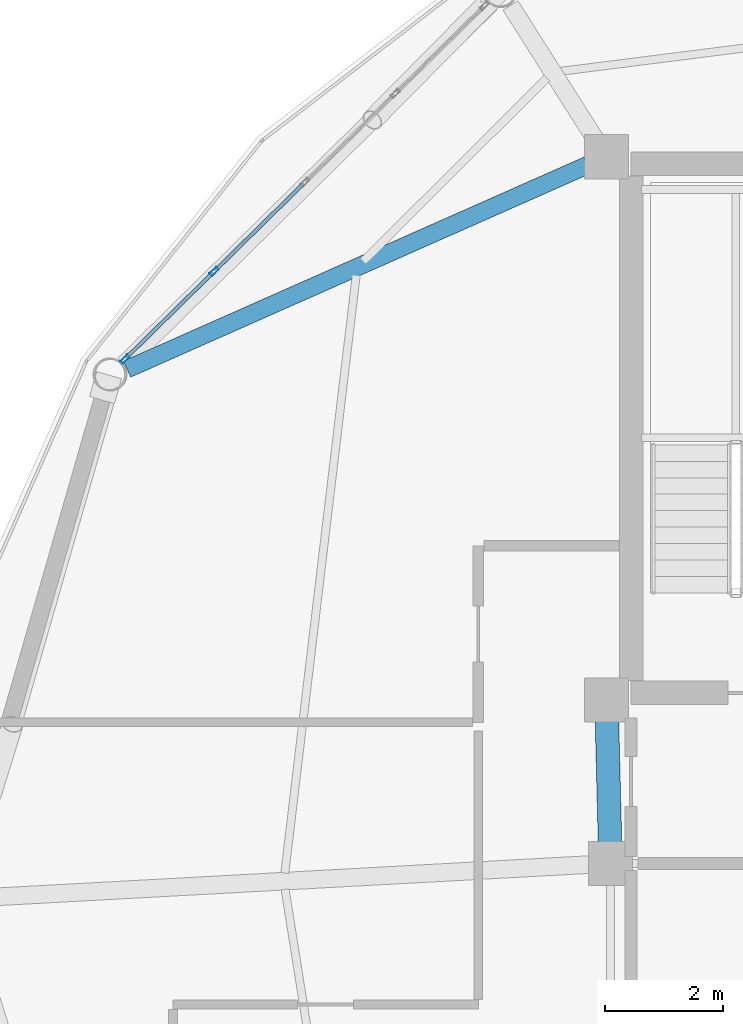
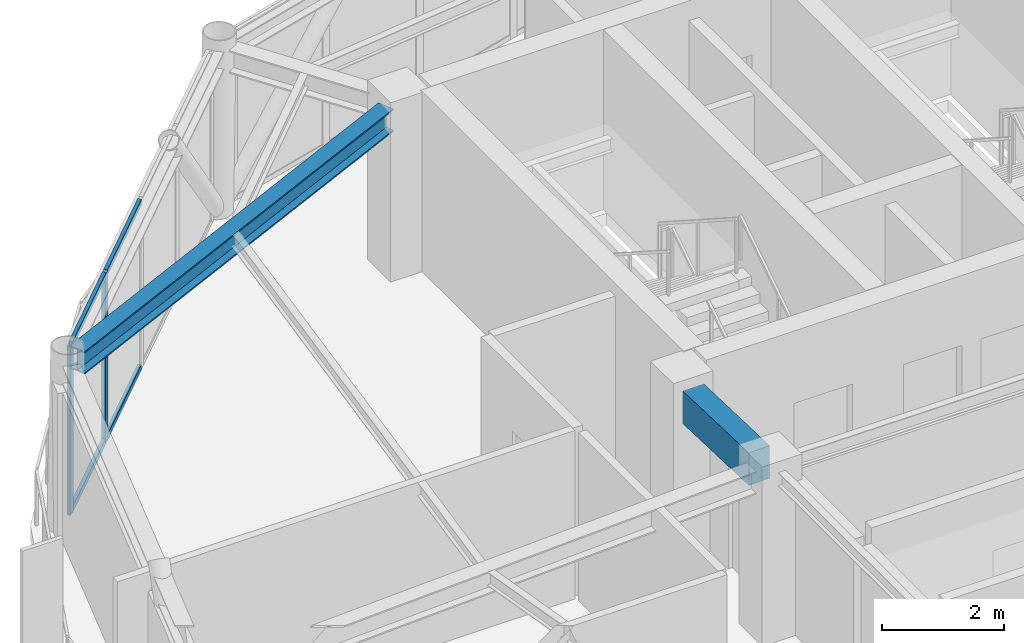
# One storey, part 11 of 25: 6 members, 2 beams, 1 element without a shape of its own.
"""IFC4 building model written with IfcOpenShell, lengths in metres."""

import ifcopenshell
import ifcopenshell.guid

model = None  # the IFC model being written
_history = None  # IfcOwnerHistory: only IFC2X3 demands one
_inside = {}  # id of a spatial element -> (the spatial element, [elements in it])
_under = {}  # id of a project, library or spatial element -> (it, [spatial elements below it])
_declared = {}  # id of a project -> (the project, [libraries it declares])
_typed = {}  # id of a type object -> (the type object, [elements of that type])
_made_of = {}  # id of a material, layer set ... -> (it, [elements and type objects made of it])


def new_model(schema):
    """Start an empty IFC model of exactly this schema.

    Asked for "IFC4X3", IfcOpenShell would pick the latest addendum, in which some entities
    have other attributes; the version numbers below select the first issue.
    IFC2X3 requires an IfcOwnerHistory on every rooted entity: one is made here for all.
    """
    global model, _history
    if schema == "IFC4X3":
        model = ifcopenshell.file(schema_version=(4, 3, 0, 0))
    else:
        model = ifcopenshell.file(schema=schema)
    _inside.clear()
    _under.clear()
    _declared.clear()
    _typed.clear()
    _made_of.clear()
    _history = None
    if model.schema == "IFC2X3":
        org = make("IfcOrganization", Name="unknown")
        user = make(
            "IfcPersonAndOrganization",
            ThePerson=make("IfcPerson", FamilyName="unknown"),
            TheOrganization=org,
        )
        app = make(
            "IfcApplication",
            ApplicationDeveloper=org,
            Version="unknown",
            ApplicationFullName="unknown",
            ApplicationIdentifier="unknown",
        )
        _history = make(
            "IfcOwnerHistory",
            OwningUser=user,
            OwningApplication=app,
            ChangeAction="ADDED",
            CreationDate=0,
        )
    return model


def make(cls, **values):
    """One entity of the class cls with the attributes given. An attribute that is None is left unset."""
    return model.create_entity(
        cls, **{name: value for name, value in values.items() if value is not None}
    )


def rooted(cls, **values):
    """An entity with a GlobalId (a new one), such as an element, a storey or a relation."""
    return make(cls, GlobalId=ifcopenshell.guid.new(), OwnerHistory=_history, **values)


def si_unit(unit_type, name, prefix=None):
    """IfcSIUnit, for example si_unit("LENGTHUNIT", "METRE", prefix="MILLI")."""
    return make("IfcSIUnit", UnitType=unit_type, Prefix=prefix, Name=name)


def assignment(units):
    """IfcUnitAssignment: the units of a project."""
    return None if units is None else make("IfcUnitAssignment", Units=units)


def point(xyz):
    """IfcCartesianPoint."""
    return None if xyz is None else make("IfcCartesianPoint", Coordinates=xyz)


def direction(xyz):
    """IfcDirection."""
    return None if xyz is None else make("IfcDirection", DirectionRatios=xyz)


def frame(location, z_axis=None, x_axis=None):
    """IfcAxis2Placement3D, a coordinate frame: its origin and axes. An axis left out is left unset."""
    return make(
        "IfcAxis2Placement3D",
        Location=point(location),
        Axis=direction(z_axis),
        RefDirection=direction(x_axis),
    )


def frame_2d(location, x_axis=None):
    """IfcAxis2Placement2D, a coordinate frame in the plane: its origin and x axis."""
    return make(
        "IfcAxis2Placement2D", Location=point(location), RefDirection=direction(x_axis)
    )


def origin():
    """The frame at (0, 0, 0) with its axes left unset."""
    return frame((0.0, 0.0, 0.0))


def origin_2d():
    """The frame at (0, 0) in the plane with its x axis left unset."""
    return frame_2d((0.0, 0.0))


def place(relative_to, where):
    """IfcLocalPlacement: puts the frame where relative to a parent placement (None: the world)."""
    return make(
        "IfcLocalPlacement", PlacementRelTo=relative_to, RelativePlacement=where
    )


def context(
    kind, dimensions, precision=None, world=None, true_north=None, identifier=None
):
    """IfcGeometricRepresentationContext, for example the 3D "Model" context."""
    return make(
        "IfcGeometricRepresentationContext",
        ContextIdentifier=identifier,
        ContextType=kind,
        CoordinateSpaceDimension=dimensions,
        Precision=precision,
        WorldCoordinateSystem=world,
        TrueNorth=true_north,
    )


def subcontext(parent, identifier, kind, view, scale=None):
    """IfcGeometricRepresentationSubContext, for example "Body" below "Model"."""
    return make(
        "IfcGeometricRepresentationSubContext",
        ContextIdentifier=identifier,
        ContextType=kind,
        ParentContext=parent,
        TargetScale=scale,
        TargetView=view,
    )


def project(units=None, contexts=None):
    """IfcProject with its units and contexts."""
    return rooted(
        "IfcProject",
        Name="project",
        RepresentationContexts=contexts,
        UnitsInContext=assignment(units),
    )


def spatial(cls, under=None, at=None, **own):
    """A site, building, storey or space (cls), placed at a placement, below another one or the project."""
    s = rooted(cls, ObjectPlacement=at, **own)
    if under is not None:
        _under.setdefault(under.id(), (under, []))[1].append(s)
    return s


def profile(cls, at=None, kind="AREA", **sizes):
    """A parametric profile (cls). Its sizes go by their IFC names, for example OverallWidth=200.0."""
    return make(cls, ProfileType=kind, Position=at, **sizes)


def rectangle(**sizes):
    """IfcRectangleProfileDef."""
    return profile("IfcRectangleProfileDef", **sizes)


def hollow_rectangle(**sizes):
    """IfcRectangleHollowProfileDef."""
    return profile("IfcRectangleHollowProfileDef", **sizes)


def i_section(**sizes):
    """IfcIShapeProfileDef."""
    return profile("IfcIShapeProfileDef", **sizes)


def extrude(swept, where, along, depth):
    """IfcExtrudedAreaSolid: the profile swept, set in the frame where, extruded along a direction by depth."""
    return make(
        "IfcExtrudedAreaSolid",
        SweptArea=swept,
        Position=where,
        ExtrudedDirection=direction(along),
        Depth=depth,
    )


def shape(context_of_items, identifier, shape_type, items):
    """IfcShapeRepresentation: the items that make up one representation, for example the "Body"."""
    return make(
        "IfcShapeRepresentation",
        ContextOfItems=context_of_items,
        RepresentationIdentifier=identifier,
        RepresentationType=shape_type,
        Items=items,
    )


def material(Name=None, Category=None):
    """IfcMaterial."""
    return make("IfcMaterial", Name=Name, Category=Category)


def layer(
    of_material, thickness, ventilated=None, Name=None, Category=None, Priority=None
):
    """IfcMaterialLayer: one layer of a wall or slab, of a material (None: an air gap)."""
    return make(
        "IfcMaterialLayer",
        Material=of_material,
        LayerThickness=thickness,
        IsVentilated=ventilated,
        Name=Name,
        Category=Category,
        Priority=Priority,
    )


def layer_set(layers, Name=None):
    """IfcMaterialLayerSet."""
    return make("IfcMaterialLayerSet", MaterialLayers=layers, LayerSetName=Name)


def material_profile(
    of_material, cross_section, Name=None, Category=None, Priority=None
):
    """IfcMaterialProfile: a cross section and its material."""
    return make(
        "IfcMaterialProfile",
        Name=Name,
        Material=of_material,
        Profile=cross_section,
        Priority=Priority,
        Category=Category,
    )


def profile_set(profiles, Name=None, composite=None):
    """IfcMaterialProfileSet."""
    return make(
        "IfcMaterialProfileSet",
        Name=Name,
        MaterialProfiles=profiles,
        CompositeProfile=composite,
    )


def made_of(thing, what):
    """Note that an element or type object is made of a material, layer set ...; save() writes the relation."""
    if what is not None:
        _made_of.setdefault(what.id(), (what, []))[1].append(thing)
    return thing


def type_object(cls, material=None, **own):
    """A type object (cls), such as IfcWallType, which elements share."""
    return made_of(rooted(cls, **own), material)


def element(
    cls,
    number,
    at=None,
    inside=None,
    cuts=None,
    type_object=None,
    material=None,
    context=None,
    identifier="Body",
    shape_type=None,
    held_by="IfcProductDefinitionShape",
    body=None,
    shapes=None,
    **own,
):
    """One element of the class cls, such as IfcWall. Its Tag is "e" and its number.

    at: its placement. inside: the storey or other place that contains it. cuts: it is an
    opening in that element (IfcRelVoidsElement). A single representation is given by context,
    identifier, shape_type and body (its items); several are given by shapes. held_by: the class
    of the entity that holds the representations. save() writes the other relations.
    """
    e = rooted(cls, Tag="e%d" % number, ObjectPlacement=at, **own)
    if body is not None:
        shapes = [shape(context, identifier, shape_type, body)]
    if shapes is not None:
        e.Representation = make(held_by, Representations=shapes)
    if inside is not None:
        _inside.setdefault(inside.id(), (inside, []))[1].append(e)
    if cuts is not None:
        rooted(
            "IfcRelVoidsElement", RelatingBuildingElement=cuts, RelatedOpeningElement=e
        )
    if type_object is not None:
        _typed.setdefault(type_object.id(), (type_object, []))[1].append(e)
    return made_of(e, material)


def aggregate(whole, parts):
    """IfcRelAggregates: a whole, such as a stair, and the parts it consists of."""
    return rooted("IfcRelAggregates", RelatingObject=whole, RelatedObjects=parts)


def save(model, path):
    """Write the relations noted so far, then the file.

    IfcRelAggregates (storeys below a building ...), IfcRelContainedInSpatialStructure (elements
    in a storey), IfcRelDefinesByType, IfcRelAssociatesMaterial and IfcRelDeclares: one each for
    every whole, place, type object, material and project.
    """
    for whole, parts in _under.values():
        aggregate(whole, parts)
    for where, things in _inside.values():
        rooted(
            "IfcRelContainedInSpatialStructure",
            RelatedElements=things,
            RelatingStructure=where,
        )
    for kind, things in _typed.values():
        rooted("IfcRelDefinesByType", RelatedObjects=things, RelatingType=kind)
    for what, things in _made_of.values():
        rooted("IfcRelAssociatesMaterial", RelatedObjects=things, RelatingMaterial=what)
    for by, libraries in _declared.values():
        rooted("IfcRelDeclares", RelatingContext=by, RelatedDefinitions=libraries)
    model.write(path)


model = new_model("IFC4")

# Units and contexts
model_context = context("Model", 3, precision=1e-05, world=origin(), true_north=direction((0.0, 1.0)))
body_context = subcontext(model_context, "Body", "Model", "MODEL_VIEW")
ifc_project = project(units=[si_unit("LENGTHUNIT", "METRE"), si_unit("AREAUNIT", "SQUARE_METRE"), si_unit("VOLUMEUNIT", "CUBIC_METRE"), si_unit("PLANEANGLEUNIT", "RADIAN"), si_unit("MASSUNIT", "GRAM", prefix="KILO")], contexts=[model_context])

# Site, building, storey
site_placement = place(None, origin())
site = spatial("IfcSite", under=ifc_project, at=site_placement, CompositionType="ELEMENT")
building_placement = place(site_placement, origin())
building = spatial("IfcBuilding", under=site, at=building_placement, Name="Varnakorn Sky Granary", CompositionType="ELEMENT")
storey_placement = place(building_placement, frame((0.0, 0.0, 259.800048828125)))
storey = spatial("IfcBuildingStorey", under=building, at=storey_placement, Name="L66", CompositionType="ELEMENT", Elevation=259.800048828125)

# Beams
ifc_material_1 = material(Name="Concrete C50/60", Category="concrete")
ifc_material_profile_1 = material_profile(ifc_material_1, rectangle(XDim=0.39990234375, YDim=0.64990234375, at=origin_2d()), Name="RC 400x650")
ifc_profile_set_1 = profile_set([ifc_material_profile_1], Name="Concrete C50/60")
beam_type_1 = type_object("IfcBeamType", Name="BM-LIN-650", PredefinedType="LINTEL", material=ifc_profile_set_1)
beam_1_placement = place(storey_placement, frame((-2.4111328125, 3.025146484375, 3.034912109375), z_axis=(0.025227817192, -0.999681727971, 0.0), x_axis=(0.999681727971, 0.025227817192, 0.0)))
element("IfcBeam", 1, at=beam_1_placement, inside=storey, type_object=beam_type_1, Name="Core Spine Framing Beam 1 L66", PredefinedType="LINTEL", context=body_context, shape_type="SweptSolid", body=[
    extrude(rectangle(XDim=0.39990234375, YDim=0.64990234375, at=origin_2d()), origin(), (0.0, 0.0, 1.0), 2.071044921875),
])
ifc_material_2 = material(Name="Steel S355JR", Category="steel")
ifc_material_profile_2 = material_profile(ifc_material_2, i_section(OverallWidth=0.300048828125, OverallDepth=0.449951171875, WebThickness=0.013916015625, FlangeThickness=0.02587890625, at=origin_2d()), Name="HE 450 B")
ifc_profile_set_2 = profile_set([ifc_material_profile_2], Name="Steel S355JR")
beam_type_2 = type_object("IfcBeamType", Name="BM-RAD-Z5", PredefinedType="BEAM", material=ifc_profile_set_2)
beam_2_placement = place(storey_placement, frame((-2.74462890625, 12.476318359375, 3.135009765625), z_axis=(-0.914302333161, -0.405032398181, 0.0), x_axis=(0.405032398181, -0.914302333161, 0.0)))
element("IfcBeam", 2, at=beam_2_placement, inside=storey, type_object=beam_type_2, Name="Radial Floor Girder RG06 L66", PredefinedType="BEAM", context=body_context, shape_type="SweptSolid", body=[
    extrude(i_section(OverallWidth=0.300048828125, OverallDepth=0.449951171875, WebThickness=0.013916015625, FlangeThickness=0.02587890625, at=origin_2d()), origin(), (0.0, 0.0, 1.0), 8.56298828125),
])

# Curtain wall, members
ifc_material_3 = material(Name="Anodised Bronze Aluminium Alloy 6063-T6", Category="aluminium")
ifc_layer = layer(ifc_material_3, 0.159912109375, Name="Anodised Bronze Aluminium Alloy 6063-T6")
ifc_layer_set = layer_set([ifc_layer], Name="Anodised Bronze Aluminium Alloy 6063-T6")
curtain_wall_type = type_object("IfcCurtainWallType", Name="CW-OFF-1", PredefinedType="USERDEFINED", material=ifc_layer_set)
curtain_wall_placement = place(storey_placement, origin())
curtain_wall = element("IfcCurtainWall", 3, at=curtain_wall_placement, inside=storey, type_object=curtain_wall_type, Name="Unitised Curtain Wall CW6 CW-L66-B05", ObjectType="CURTAIN WALL", PredefinedType="USERDEFINED")
ifc_material_profile_3 = material_profile(ifc_material_3, hollow_rectangle(XDim=0.06494140625, YDim=0.159912109375, WallThickness=0.00341796875, at=origin_2d()), Name="ALU MULL 65x160")
ifc_profile_set_3 = profile_set([ifc_material_profile_3], Name="Anodised Bronze Aluminium Alloy 6063-T6")
member_type_1 = type_object("IfcMemberType", Name="CW-OFF-1-MULL", PredefinedType="MULLION", material=ifc_profile_set_3)
member_1_placement = place(storey_placement, frame((-10.609130859375, 9.1787109375, 0.0), z_axis=(0.0, 0.0, 1.0), x_axis=(-0.700774417108, 0.713382938068, 0.0)))
member_1 = element("IfcMember", 4, at=member_1_placement, type_object=member_type_1, Name="CW6 mullion 1", PredefinedType="MULLION", context=body_context, shape_type="SweptSolid", body=[
    extrude(hollow_rectangle(XDim=0.06494140625, YDim=0.159912109375, WallThickness=0.00341796875, at=origin_2d()), origin(), (0.0, 0.0, 1.0), 3.35986328125),
])
member_2_placement = place(storey_placement, frame((-9.091796875, 10.6689453125, 0.0), z_axis=(0.0, 0.0, 1.0), x_axis=(-0.700774417108, 0.713382938068, 0.0)))
member_2 = element("IfcMember", 5, at=member_2_placement, type_object=member_type_1, Name="CW6 mullion 2", PredefinedType="MULLION", context=body_context, shape_type="SweptSolid", body=[
    extrude(hollow_rectangle(XDim=0.06494140625, YDim=0.159912109375, WallThickness=0.00341796875, at=origin_2d()), origin(), (0.0, 0.0, 1.0), 3.35986328125),
])
ifc_material_profile_4 = material_profile(ifc_material_3, hollow_rectangle(XDim=0.06494140625, YDim=0.1201171875, WallThickness=0.00341796875, at=origin_2d()), Name="ALU TRAN 65x120")
ifc_profile_set_4 = profile_set([ifc_material_profile_4], Name="Anodised Bronze Aluminium Alloy 6063-T6")
member_type_2 = type_object("IfcMemberType", Name="CW-OFF-1-TRAN", PredefinedType="USERDEFINED", material=ifc_profile_set_4)
member_3_placement = place(storey_placement, frame((-10.5859375, 9.201416015625, 0.032470703125), z_axis=(0.713413277068, 0.700743530903, 0.0), x_axis=(-0.700743530903, 0.713413277068, 0.0)))
member_3 = element("IfcMember", 6, at=member_3_placement, type_object=member_type_2, Name="CW6 transom 1.1", ObjectType="TRANSOM", PredefinedType="USERDEFINED", context=body_context, shape_type="SweptSolid", body=[
    extrude(hollow_rectangle(XDim=0.06494140625, YDim=0.1201171875, WallThickness=0.00341796875, at=origin_2d()), origin(), (0.0, 0.0, 1.0), 2.061767578125),
])
member_4_placement = place(storey_placement, frame((-10.5859375, 9.201416015625, 3.327392578125), z_axis=(0.713413277068, 0.700743530903, 0.0), x_axis=(-0.700743530903, 0.713413277068, 0.0)))
member_4 = element("IfcMember", 7, at=member_4_placement, type_object=member_type_2, Name="CW6 transom 1.2", ObjectType="TRANSOM", PredefinedType="USERDEFINED", context=body_context, shape_type="SweptSolid", body=[
    extrude(hollow_rectangle(XDim=0.06494140625, YDim=0.1201171875, WallThickness=0.00341796875, at=origin_2d()), origin(), (0.0, 0.0, 1.0), 2.061767578125),
])
member_5_placement = place(storey_placement, frame((-9.068603515625, 10.69189453125, 0.032470703125), z_axis=(0.713374263044, 0.700783248106, 0.0), x_axis=(-0.700783248106, 0.713374263044, 0.0)))
member_5 = element("IfcMember", 8, at=member_5_placement, type_object=member_type_2, Name="CW6 transom 2.1", ObjectType="TRANSOM", PredefinedType="USERDEFINED", context=body_context, shape_type="SweptSolid", body=[
    extrude(hollow_rectangle(XDim=0.06494140625, YDim=0.1201171875, WallThickness=0.00341796875, at=origin_2d()), origin(), (0.0, 0.0, 1.0), 2.09423828125),
])
member_6_placement = place(storey_placement, frame((-9.068603515625, 10.69189453125, 3.327392578125), z_axis=(0.713374263044, 0.700783248106, 0.0), x_axis=(-0.700783248106, 0.713374263044, 0.0)))
member_6 = element("IfcMember", 9, at=member_6_placement, type_object=member_type_2, Name="CW6 transom 2.2", ObjectType="TRANSOM", PredefinedType="USERDEFINED", context=body_context, shape_type="SweptSolid", body=[
    extrude(hollow_rectangle(XDim=0.06494140625, YDim=0.1201171875, WallThickness=0.00341796875, at=origin_2d()), origin(), (0.0, 0.0, 1.0), 2.09423828125),
])
aggregate(curtain_wall, [member_1, member_2, member_3, member_4, member_5, member_6])

save(model, "model.ifc")
